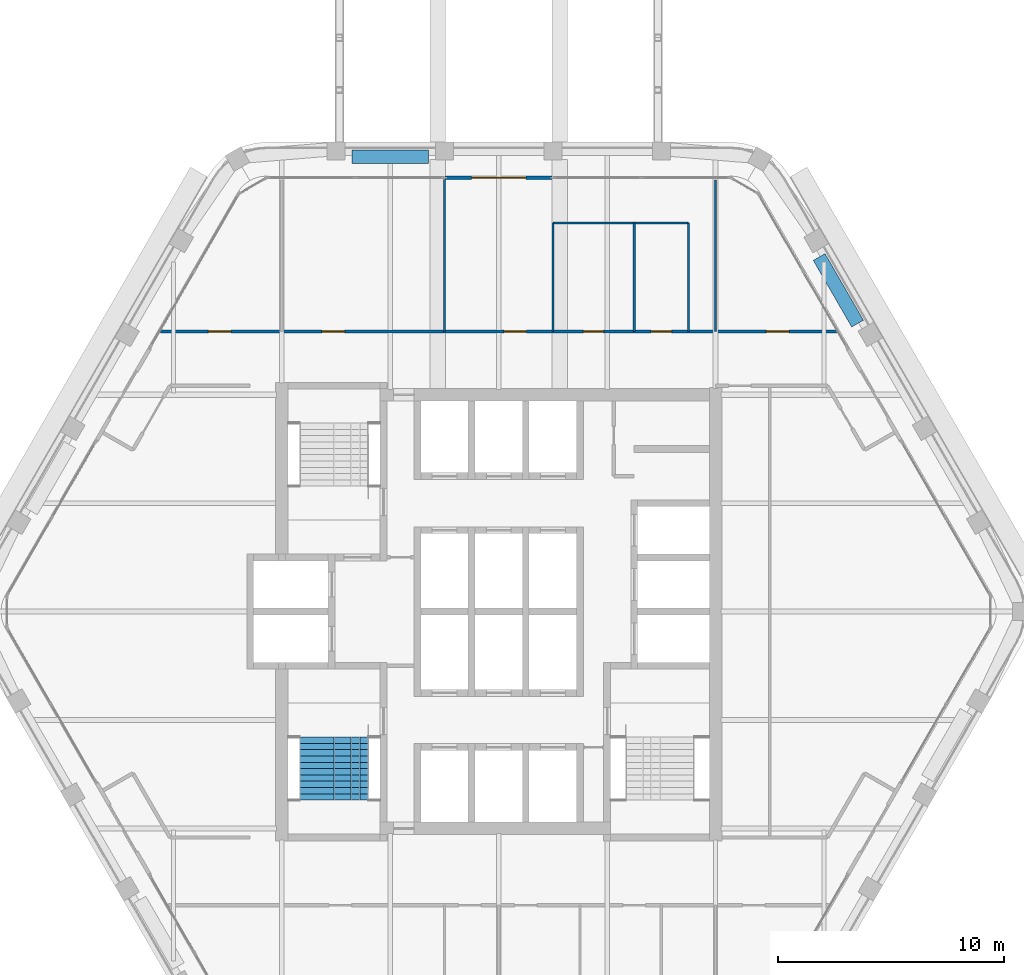
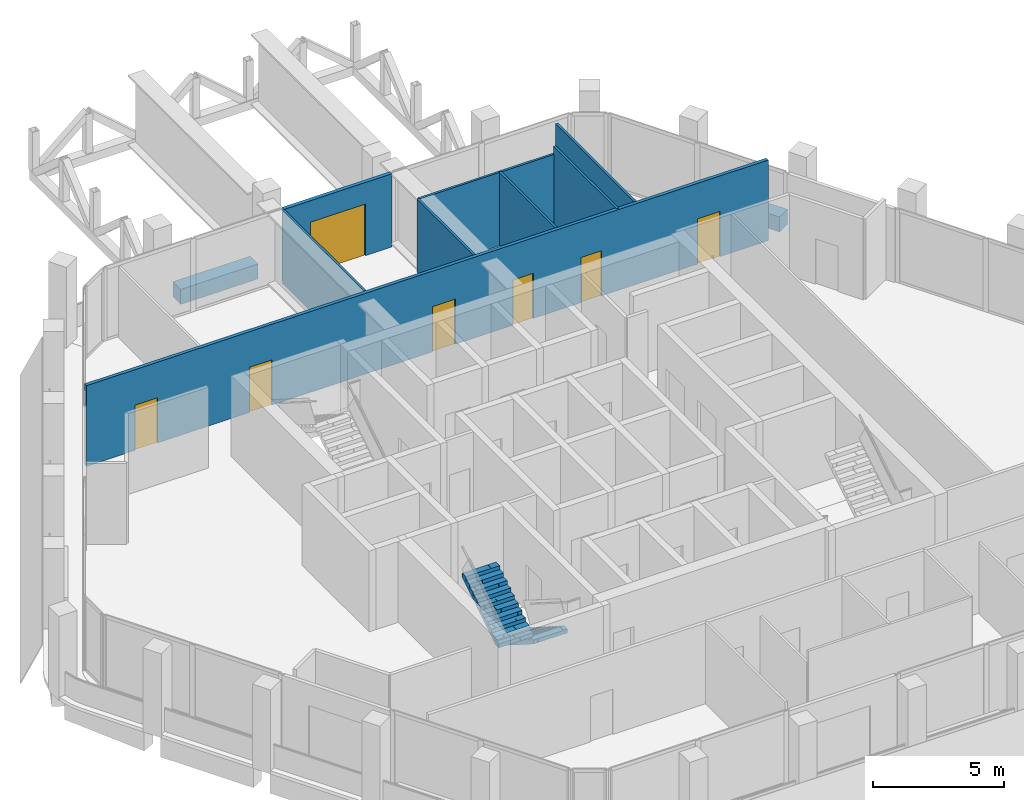
# One storey, part 11 of 14: 10 walls, 7 doors, 2 stair flights, 7 openings, 1 element without a shape of its own.
"""IFC4 building model written with IfcOpenShell, lengths in metres."""

from ifc_helpers import new_model, si_unit, direction, frame, frame_2d, origin, place, context, subcontext, project, spatial, polyline, rectangle, outline, extrude, material, layer, layer_set, type_object, element, fill, aggregate, save


model = new_model("IFC4")

# Units and contexts
model_context = context("Model", 3, precision=1e-05, world=origin(), true_north=direction((0.0, 1.0)))
body_context = subcontext(model_context, "Body", "Model", "MODEL_VIEW")
ifc_project = project(units=[si_unit("LENGTHUNIT", "METRE"), si_unit("AREAUNIT", "SQUARE_METRE"), si_unit("VOLUMEUNIT", "CUBIC_METRE"), si_unit("PLANEANGLEUNIT", "RADIAN"), si_unit("MASSUNIT", "GRAM", prefix="KILO")], contexts=[model_context])

# Site, building, storey
site_placement = place(None, origin())
site = spatial("IfcSite", under=ifc_project, at=site_placement, CompositionType="ELEMENT")
building_placement = place(site_placement, origin())
building = spatial("IfcBuilding", under=site, at=building_placement, Name="Kolab Exchange Tower", CompositionType="ELEMENT")
storey_placement = place(building_placement, frame((0.0, 0.0, 265.699951171875)))
storey = spatial("IfcBuildingStorey", under=building, at=storey_placement, Name="L59", CompositionType="ELEMENT", Elevation=265.699951171875)

# Wall, opening, door
ifc_material_1 = material(Name="Aluminium EN AW-6063 T6", Category="aluminium")
ifc_layer_1 = layer(ifc_material_1, 0.159912109375)
ifc_layer_set_1 = layer_set([ifc_layer_1], Name="Aluminium EN AW-6063 T6")
wall_type_1 = type_object("IfcWallType", Name="DOOR SURROUND WALL 160 ALUMINIUM FRAMED", PredefinedType="PARTITIONING", material=ifc_layer_set_1)
wall_1_placement = place(storey_placement, frame((-2.3701171875, 19.20458984375, 0.0), z_axis=(0.0, 0.0, 1.0), x_axis=(1.0, 0.0, 0.0)))
wall_1 = element("IfcWall", 1, at=wall_1_placement, inside=storey, type_object=wall_type_1, Name="Door surround wall", PredefinedType="PARTITIONING", context=body_context, shape_type="SweptSolid", body=[
    extrude(rectangle(XDim=4.740234375, YDim=0.159912109375, at=frame_2d((2.3701171875, 0.0))), origin(), (0.0, 0.0, 1.0), 3.400146484375),
])
opening_1_placement = place(wall_1_placement, frame((1.169921875, 0.0, 0.0)))
opening_1 = element("IfcOpeningElement", 2, at=opening_1_placement, cuts=wall_1, Name="Opening GD1-108", PredefinedType="OPENING", context=body_context, shape_type="SweptSolid", body=[
    extrude(rectangle(XDim=2.39990234375, YDim=2.39990234375, at=frame_2d((1.199951171875, 1.199951171875))), frame((0.0, 0.08984375, 0.0), z_axis=(0.0, -1.0, 0.0), x_axis=(1.0, 0.0, 0.0)), (0.0, 0.0, 1.0), 0.179931640625),
])
door_type_1 = type_object("IfcDoorType", Name="LOGGIA SLIDING GLASS DOOR 2400 X 2400", OperationType="DOUBLE_DOOR_SINGLE_SWING", PredefinedType="DOOR", material=ifc_material_1)
door_1_placement = place(opening_1_placement, origin())
door_1 = element("IfcDoor", 3, at=door_1_placement, inside=storey, type_object=door_type_1, Name="Loggia door", OperationType="DOUBLE_DOOR_SLIDING", OverallHeight=2.39990234375, OverallWidth=2.39990234375, PredefinedType="DOOR", context=body_context, shape_type="SweptSolid", body=[
    extrude(rectangle(XDim=2.39990234375, YDim=2.39990234375, at=frame_2d((1.199951171875, 1.199951171875))), frame((0.0, 0.02490234375, 0.0), z_axis=(0.0, -1.0, 0.0), x_axis=(1.0, 0.0, 0.0)), (0.0, 0.0, 1.0), 0.050048828125),
])
fill(opening_1, door_1)

# Walls
ifc_material_2 = material(Name="Gypsum board", Category="gypsum")
ifc_layer_2 = layer(ifc_material_2, 0.10009765625)
ifc_layer_set_2 = layer_set([ifc_layer_2], Name="Gypsum board")
wall_type_2 = type_object("IfcWallType", Name="PARTITION 100", PredefinedType="PARTITIONING", material=ifc_layer_set_2)
wall_2_placement = place(storey_placement, frame((9.60009765625, 12.39990234375, 0.0), z_axis=(0.0, 0.0, 1.0), x_axis=(0.0, 1.0, 0.0)))
element("IfcWall", 4, at=wall_2_placement, inside=storey, type_object=wall_type_2, Name="Partition 002", PredefinedType="PARTITIONING", context=body_context, shape_type="SweptSolid", body=[
    extrude(rectangle(XDim=6.714599609375, YDim=0.10009765625, at=frame_2d((3.357421875, 0.0))), origin(), (0.0, 0.0, 1.0), 3.217041015625),
])
wall_3_placement = place(storey_placement, frame((8.39990234375, 12.39990234375, 0.0), z_axis=(0.0, 0.0, 1.0), x_axis=(0.0, 1.0, 0.0)))
element("IfcWall", 5, at=wall_3_placement, inside=storey, type_object=wall_type_2, Name="Partition 003", PredefinedType="PARTITIONING", context=body_context, shape_type="SweptSolid", body=[
    extrude(rectangle(XDim=4.800048828125, YDim=0.10009765625, at=frame_2d((2.39990234375, 0.0))), origin(), (0.0, 0.0, 1.0), 3.75),
])
for number, where, z_axis, x_axis, name in (
    (6, (6.0, 12.39990234375, 0.0), (0.0, 0.0, 1.0), (0.0, 1.0, 0.0), "Partition 005"),
    (7, (2.39990234375, 12.39990234375, 0.0), (0.0, 0.0, 1.0), (0.0, 1.0, 0.0), "Partition 008"),
):
    element("IfcWall", number, at=place(storey_placement, frame(where, z_axis=z_axis, x_axis=x_axis)), inside=storey, type_object=wall_type_2, Name=name, PredefinedType="PARTITIONING", context=body_context, shape_type="SweptSolid", body=[
        extrude(rectangle(XDim=4.800048828125, YDim=0.10009765625, at=frame_2d((2.39990234375, 0.0))), origin(), (0.0, 0.0, 1.0), 3.400146484375),
    ])
wall_4_placement = place(storey_placement, frame((-2.39990234375, 12.39990234375, 0.0), z_axis=(0.0, 0.0, 1.0), x_axis=(0.0, 1.0, 0.0)))
element("IfcWall", 8, at=wall_4_placement, inside=storey, type_object=wall_type_2, Name="Partition 011", PredefinedType="PARTITIONING", context=body_context, shape_type="SweptSolid", body=[
    extrude(rectangle(XDim=6.724609375, YDim=0.10009765625, at=frame_2d((3.3623046875, 0.0))), origin(), (0.0, 0.0, 1.0), 3.400146484375),
])
wall_5_placement = place(storey_placement, frame((2.39990234375, 17.199951171875, 0.0), z_axis=(0.0, 0.0, 1.0), x_axis=(1.0, 0.0, 0.0)))
element("IfcWall", 9, at=wall_5_placement, inside=storey, type_object=wall_type_2, Name="Partition 030", PredefinedType="PARTITIONING", context=body_context, shape_type="SweptSolid", body=[
    extrude(rectangle(XDim=6.0, YDim=0.10009765625, at=frame_2d((3.0, 0.0))), origin(), (0.0, 0.0, 1.0), 3.400146484375),
])

# Wall, openings, doors
ifc_layer_3 = layer(ifc_material_2, 0.14990234375)
ifc_layer_set_3 = layer_set([ifc_layer_3], Name="Gypsum board")
wall_type_3 = type_object("IfcWallType", Name="PARTITION 150 FIRE-RATED", PredefinedType="PARTITIONING", material=ifc_layer_set_3)
wall_6_placement = place(storey_placement, frame((-14.97021484375, 12.39990234375, 0.0), z_axis=(0.0, 0.0, 1.0), x_axis=(1.0, 0.0, 0.0)))
wall_6 = element("IfcWall", 10, at=wall_6_placement, inside=storey, type_object=wall_type_3, Name="Partition 029", PredefinedType="PARTITIONING", context=body_context, shape_type="SweptSolid", body=[
    extrude(rectangle(XDim=29.9404296875, YDim=0.14990234375, at=frame_2d((14.97021484375, 0.0))), origin(), (0.0, 0.0, 1.0), 3.75),
])
opening_2_placement = place(wall_6_placement, frame((18.72021484375, 0.0, 0.0)))
opening_2 = element("IfcOpeningElement", 11, at=opening_2_placement, cuts=wall_6, Name="Opening D3-084", PredefinedType="OPENING", context=body_context, shape_type="SweptSolid", body=[
    extrude(rectangle(XDim=0.89990234375, YDim=2.10009765625, at=frame_2d((0.449951171875, 1.050048828125))), frame((0.0, 0.0849609375, 0.0), z_axis=(0.0, -1.0, 0.0), x_axis=(1.0, 0.0, 0.0)), (0.0, 0.0, 1.0), 0.169921875),
])
opening_3_placement = place(wall_6_placement, frame((21.72021484375, 0.0, 0.0)))
opening_3 = element("IfcOpeningElement", 12, at=opening_3_placement, cuts=wall_6, Name="Opening D3-085", PredefinedType="OPENING", context=body_context, shape_type="SweptSolid", body=[
    extrude(rectangle(XDim=0.89990234375, YDim=2.10009765625, at=frame_2d((0.449951171875, 1.050048828125))), frame((0.0, 0.0849609375, 0.0), z_axis=(0.0, -1.0, 0.0), x_axis=(1.0, 0.0, 0.0)), (0.0, 0.0, 1.0), 0.169921875),
])
opening_4_placement = place(wall_6_placement, frame((2.11572265625, 0.0, 0.0)))
opening_4 = element("IfcOpeningElement", 13, at=opening_4_placement, cuts=wall_6, Name="Opening D1-714", PredefinedType="OPENING", context=body_context, shape_type="SweptSolid", body=[
    extrude(rectangle(XDim=1.0, YDim=2.10009765625, at=frame_2d((0.5, 1.050048828125))), frame((0.0, 0.0849609375, 0.0), z_axis=(0.0, -1.0, 0.0), x_axis=(1.0, 0.0, 0.0)), (0.0, 0.0, 1.0), 0.169921875),
])
opening_5_placement = place(wall_6_placement, frame((7.145263671875, 0.0, 0.0)))
opening_5 = element("IfcOpeningElement", 14, at=opening_5_placement, cuts=wall_6, Name="Opening D1-715", PredefinedType="OPENING", context=body_context, shape_type="SweptSolid", body=[
    extrude(rectangle(XDim=1.0, YDim=2.10009765625, at=frame_2d((0.5, 1.050048828125))), frame((0.0, 0.0849609375, 0.0), z_axis=(0.0, -1.0, 0.0), x_axis=(1.0, 0.0, 0.0)), (0.0, 0.0, 1.0), 0.169921875),
])
opening_6_placement = place(wall_6_placement, frame((15.1953125, 0.0, 0.0)))
opening_6 = element("IfcOpeningElement", 15, at=opening_6_placement, cuts=wall_6, Name="Opening D1-656", PredefinedType="OPENING", context=body_context, shape_type="SweptSolid", body=[
    extrude(rectangle(XDim=1.0, YDim=2.10009765625, at=frame_2d((0.5, 1.050048828125))), frame((0.0, 0.0849609375, 0.0), z_axis=(0.0, -1.0, 0.0), x_axis=(1.0, 0.0, 0.0)), (0.0, 0.0, 1.0), 0.169921875),
])
opening_7_placement = place(wall_6_placement, frame((26.82470703125, 0.0, 0.0)))
opening_7 = element("IfcOpeningElement", 16, at=opening_7_placement, cuts=wall_6, Name="Opening D1-716", PredefinedType="OPENING", context=body_context, shape_type="SweptSolid", body=[
    extrude(rectangle(XDim=1.0, YDim=2.10009765625, at=frame_2d((0.5, 1.050048828125))), frame((0.0, 0.0849609375, 0.0), z_axis=(0.0, -1.0, 0.0), x_axis=(1.0, 0.0, 0.0)), (0.0, 0.0, 1.0), 0.169921875),
])
ifc_material_3 = material(Name="Steel S235", Category="steel")
door_type_2 = type_object("IfcDoorType", Name="FLUSH DOOR 1000 FD60", OperationType="SINGLE_SWING_LEFT", PredefinedType="DOOR", material=ifc_material_3)
door_2_placement = place(opening_4_placement, origin())
door_2 = element("IfcDoor", 17, at=door_2_placement, inside=storey, type_object=door_type_2, Name="Door L59-031", OperationType="SINGLE_SWING_LEFT", OverallHeight=2.10009765625, OverallWidth=1.0, PredefinedType="DOOR", context=body_context, shape_type="SweptSolid", body=[
    extrude(rectangle(XDim=1.0, YDim=2.10009765625, at=frame_2d((0.5, 1.050048828125))), frame((0.0, 0.02490234375, 0.0), z_axis=(0.0, -1.0, 0.0), x_axis=(1.0, 0.0, 0.0)), (0.0, 0.0, 1.0), 0.050048828125),
])
fill(opening_4, door_2)
door_3_placement = place(opening_5_placement, origin())
door_3 = element("IfcDoor", 18, at=door_3_placement, inside=storey, type_object=door_type_2, Name="Door L59-032", OperationType="SINGLE_SWING_LEFT", OverallHeight=2.10009765625, OverallWidth=1.0, PredefinedType="DOOR", context=body_context, shape_type="SweptSolid", body=[
    extrude(rectangle(XDim=1.0, YDim=2.10009765625, at=frame_2d((0.5, 1.050048828125))), frame((0.0, 0.02490234375, 0.0), z_axis=(0.0, -1.0, 0.0), x_axis=(1.0, 0.0, 0.0)), (0.0, 0.0, 1.0), 0.050048828125),
])
fill(opening_5, door_3)
door_4_placement = place(opening_6_placement, origin())
door_4 = element("IfcDoor", 19, at=door_4_placement, inside=storey, type_object=door_type_2, Name="Door L59-033", OperationType="SINGLE_SWING_RIGHT", OverallHeight=2.10009765625, OverallWidth=1.0, PredefinedType="DOOR", context=body_context, shape_type="SweptSolid", body=[
    extrude(rectangle(XDim=1.0, YDim=2.10009765625, at=frame_2d((0.5, 1.050048828125))), frame((0.0, 0.02490234375, 0.0), z_axis=(0.0, -1.0, 0.0), x_axis=(1.0, 0.0, 0.0)), (0.0, 0.0, 1.0), 0.050048828125),
])
fill(opening_6, door_4)
door_5_placement = place(opening_7_placement, origin())
door_5 = element("IfcDoor", 20, at=door_5_placement, inside=storey, type_object=door_type_2, Name="Door L59-034", OperationType="SINGLE_SWING_RIGHT", OverallHeight=2.10009765625, OverallWidth=1.0, PredefinedType="DOOR", context=body_context, shape_type="SweptSolid", body=[
    extrude(rectangle(XDim=1.0, YDim=2.10009765625, at=frame_2d((0.5, 1.050048828125))), frame((0.0, 0.02490234375, 0.0), z_axis=(0.0, -1.0, 0.0), x_axis=(1.0, 0.0, 0.0)), (0.0, 0.0, 1.0), 0.050048828125),
])
fill(opening_7, door_5)
door_type_3 = type_object("IfcDoorType", Name="FLUSH DOOR 900 FD60", OperationType="SINGLE_SWING_LEFT", PredefinedType="DOOR", material=ifc_material_3)
door_6_placement = place(opening_2_placement, origin())
door_6 = element("IfcDoor", 21, at=door_6_placement, inside=storey, type_object=door_type_3, Name="Door L59-029", OperationType="SINGLE_SWING_LEFT", OverallHeight=2.10009765625, OverallWidth=0.89990234375, PredefinedType="DOOR", context=body_context, shape_type="SweptSolid", body=[
    extrude(rectangle(XDim=0.89990234375, YDim=2.10009765625, at=frame_2d((0.449951171875, 1.050048828125))), frame((0.0, 0.02490234375, 0.0), z_axis=(0.0, -1.0, 0.0), x_axis=(1.0, 0.0, 0.0)), (0.0, 0.0, 1.0), 0.050048828125),
])
fill(opening_2, door_6)
door_7_placement = place(opening_3_placement, origin())
door_7 = element("IfcDoor", 22, at=door_7_placement, inside=storey, type_object=door_type_3, Name="Door L59-030", OperationType="SINGLE_SWING_LEFT", OverallHeight=2.10009765625, OverallWidth=0.89990234375, PredefinedType="DOOR", context=body_context, shape_type="SweptSolid", body=[
    extrude(rectangle(XDim=0.89990234375, YDim=2.10009765625, at=frame_2d((0.449951171875, 1.050048828125))), frame((0.0, 0.02490234375, 0.0), z_axis=(0.0, -1.0, 0.0), x_axis=(1.0, 0.0, 0.0)), (0.0, 0.0, 1.0), 0.050048828125),
])
fill(opening_3, door_7)

# Walls
ifc_material_4 = material(Name="Granite facing", Category="masonry")
ifc_layer_4 = layer(ifc_material_4, 0.0400390625)
ifc_material_5 = material(Name="Concrete C40/50 precast", Category="concrete")
ifc_layer_5 = layer(ifc_material_5, 0.56005859375)
ifc_layer_set_4 = layer_set([ifc_layer_4, ifc_layer_5], Name="Concrete C40/50 precast")
wall_type_4 = type_object("IfcWallType", Name="PLANTER BOX 600 X 700 SOIL DEPTH 550", PredefinedType="USERDEFINED", material=ifc_layer_set_4)
wall_7_placement = place(storey_placement, frame((-6.5, 20.134521484375, 0.0), z_axis=(0.0, 0.0, 1.0), x_axis=(1.0, 0.0, 0.0)))
element("IfcWall", 23, at=wall_7_placement, inside=storey, type_object=wall_type_4, Name="Planter", ObjectType="PLANTER", PredefinedType="USERDEFINED", context=body_context, shape_type="SweptSolid", body=[
    extrude(rectangle(XDim=3.39990234375, YDim=0.60009765625, at=frame_2d((1.699951171875, 0.0))), origin(), (0.0, 0.0, 1.0), 0.699951171875),
])
wall_8_placement = place(storey_placement, frame((14.18701171875, 15.696533203125, 0.0), z_axis=(0.0, 0.0, 1.0), x_axis=(0.499977295307, -0.866038511948, 0.0)))
element("IfcWall", 24, at=wall_8_placement, inside=storey, type_object=wall_type_4, Name="Planter", ObjectType="PLANTER", PredefinedType="USERDEFINED", context=body_context, shape_type="SweptSolid", body=[
    extrude(rectangle(XDim=3.400146484375, YDim=0.60009765625, at=frame_2d((1.7001953125, 0.0))), origin(), (0.0, 0.0, 1.0), 0.699951171875),
])

# Stair, stair flights
ifc_material_6 = material(Name="Concrete C50/60", Category="concrete")
stair_type = type_object("IfcStairType", Name="STAIR ST3 RISER 177.3", PredefinedType="HALF_TURN_STAIR", material=ifc_material_6)
stair_placement = place(storey_placement, origin())
stair = element("IfcStair", 25, at=stair_placement, inside=storey, type_object=stair_type, Name="Stair 3", PredefinedType="HALF_TURN_STAIR")
stair_flight_type = type_object("IfcStairFlightType", Name="STAIR FLIGHT 1500 RISER 177.3", PredefinedType="STRAIGHT", material=ifc_material_6)
stair_flight_1_placement = place(storey_placement, frame((-6.527587890625, -5.550048828125, 0.0), z_axis=(0.0, 0.0, 1.0), x_axis=(0.0, -1.0, 0.0)))
stair_flight_1 = element("IfcStairFlight", 26, at=stair_flight_1_placement, type_object=stair_flight_type, Name="ST3 flight 1", NumberOfRisers=11, NumberOfTreads=10, PredefinedType="STRAIGHT", RiserHeight=0.177272727, TreadLength=0.28, context=body_context, shape_type="SweptSolid", body=[
    extrude(outline(polyline([(0.0, 0.0), (0.0, 0.17724609375), (0.280029296875, 0.17724609375), (0.280029296875, 0.3544921875), (0.56005859375, 0.3544921875), (0.56005859375, 0.53173828125), (0.840087890625, 0.53173828125), (0.840087890625, 0.708984375), (1.1201171875, 0.708984375), (1.1201171875, 0.886474609375), (1.39990234375, 0.886474609375), (1.39990234375, 1.063720703125), (1.679931640625, 1.063720703125), (1.679931640625, 1.240966796875), (1.9599609375, 1.240966796875), (1.9599609375, 1.418212890625), (2.239990234375, 1.418212890625), (2.239990234375, 1.595458984375), (2.52001953125, 1.595458984375), (2.52001953125, 1.772705078125), (2.800048828125, 1.772705078125), (2.800048828125, 1.949951171875), (2.800048828125, 1.59521484375), (0.2802734375, 0.0), (0.0, 0.0)])), frame((0.0, 0.75, 0.0), z_axis=(0.0, -1.0, 0.0), x_axis=(1.0, 0.0, 0.0)), (0.0, 0.0, 1.0), 0.185791015625),
    extrude(outline(polyline([(0.0, 0.0), (0.0, 0.17724609375), (0.280029296875, 0.17724609375), (0.280029296875, 0.3544921875), (0.56005859375, 0.3544921875), (0.56005859375, 0.53173828125), (0.840087890625, 0.53173828125), (0.840087890625, 0.708984375), (1.1201171875, 0.708984375), (1.1201171875, 0.886474609375), (1.39990234375, 0.886474609375), (1.39990234375, 1.063720703125), (1.679931640625, 1.063720703125), (1.679931640625, 1.240966796875), (1.9599609375, 1.240966796875), (1.9599609375, 1.418212890625), (2.239990234375, 1.418212890625), (2.239990234375, 1.595458984375), (2.52001953125, 1.595458984375), (2.52001953125, 1.772705078125), (2.800048828125, 1.772705078125), (2.800048828125, 1.949951171875), (2.800048828125, 1.59521484375), (0.2802734375, 0.0), (0.0, 0.0)])), frame((0.0, 0.562255859375, 0.0), z_axis=(0.0, -1.0, 0.0), x_axis=(1.0, 0.0, 0.0)), (0.0, 0.0, 1.0), 0.185791015625),
    extrude(outline(polyline([(0.0, 0.0), (0.0, 0.17724609375), (0.280029296875, 0.17724609375), (0.280029296875, 0.3544921875), (0.56005859375, 0.3544921875), (0.56005859375, 0.53173828125), (0.840087890625, 0.53173828125), (0.840087890625, 0.708984375), (1.1201171875, 0.708984375), (1.1201171875, 0.886474609375), (1.39990234375, 0.886474609375), (1.39990234375, 1.063720703125), (1.679931640625, 1.063720703125), (1.679931640625, 1.240966796875), (1.9599609375, 1.240966796875), (1.9599609375, 1.418212890625), (2.239990234375, 1.418212890625), (2.239990234375, 1.595458984375), (2.52001953125, 1.595458984375), (2.52001953125, 1.772705078125), (2.800048828125, 1.772705078125), (2.800048828125, 1.949951171875), (2.800048828125, 1.59521484375), (0.2802734375, 0.0), (0.0, 0.0)])), frame((0.0, 0.37451171875, 0.0), z_axis=(0.0, -1.0, 0.0), x_axis=(1.0, 0.0, 0.0)), (0.0, 0.0, 1.0), 0.185791015625),
    extrude(outline(polyline([(0.0, 0.0), (0.0, 0.17724609375), (0.280029296875, 0.17724609375), (0.280029296875, 0.3544921875), (0.56005859375, 0.3544921875), (0.56005859375, 0.53173828125), (0.840087890625, 0.53173828125), (0.840087890625, 0.708984375), (1.1201171875, 0.708984375), (1.1201171875, 0.886474609375), (1.39990234375, 0.886474609375), (1.39990234375, 1.063720703125), (1.679931640625, 1.063720703125), (1.679931640625, 1.240966796875), (1.9599609375, 1.240966796875), (1.9599609375, 1.418212890625), (2.239990234375, 1.418212890625), (2.239990234375, 1.595458984375), (2.52001953125, 1.595458984375), (2.52001953125, 1.772705078125), (2.800048828125, 1.772705078125), (2.800048828125, 1.949951171875), (2.800048828125, 1.59521484375), (0.2802734375, 0.0), (0.0, 0.0)])), frame((0.0, 0.186767578125, 0.0), z_axis=(0.0, -1.0, 0.0), x_axis=(1.0, 0.0, 0.0)), (0.0, 0.0, 1.0), 0.185791015625),
    extrude(outline(polyline([(0.0, 0.0), (0.0, 0.17724609375), (0.280029296875, 0.17724609375), (0.280029296875, 0.3544921875), (0.56005859375, 0.3544921875), (0.56005859375, 0.53173828125), (0.840087890625, 0.53173828125), (0.840087890625, 0.708984375), (1.1201171875, 0.708984375), (1.1201171875, 0.886474609375), (1.39990234375, 0.886474609375), (1.39990234375, 1.063720703125), (1.679931640625, 1.063720703125), (1.679931640625, 1.240966796875), (1.9599609375, 1.240966796875), (1.9599609375, 1.418212890625), (2.239990234375, 1.418212890625), (2.239990234375, 1.595458984375), (2.52001953125, 1.595458984375), (2.52001953125, 1.772705078125), (2.800048828125, 1.772705078125), (2.800048828125, 1.949951171875), (2.800048828125, 1.59521484375), (0.2802734375, 0.0), (0.0, 0.0)])), frame((0.0, -0.0009765625, 0.0), z_axis=(0.0, -1.0, 0.0), x_axis=(1.0, 0.0, 0.0)), (0.0, 0.0, 1.0), 0.185791015625),
    extrude(outline(polyline([(0.0, 0.0), (0.0, 0.17724609375), (0.280029296875, 0.17724609375), (0.280029296875, 0.3544921875), (0.56005859375, 0.3544921875), (0.56005859375, 0.53173828125), (0.840087890625, 0.53173828125), (0.840087890625, 0.708984375), (1.1201171875, 0.708984375), (1.1201171875, 0.886474609375), (1.39990234375, 0.886474609375), (1.39990234375, 1.063720703125), (1.679931640625, 1.063720703125), (1.679931640625, 1.240966796875), (1.9599609375, 1.240966796875), (1.9599609375, 1.418212890625), (2.239990234375, 1.418212890625), (2.239990234375, 1.595458984375), (2.52001953125, 1.595458984375), (2.52001953125, 1.772705078125), (2.800048828125, 1.772705078125), (2.800048828125, 1.949951171875), (2.800048828125, 1.59521484375), (0.2802734375, 0.0), (0.0, 0.0)])), frame((0.0, -0.188720703125, 0.0), z_axis=(0.0, -1.0, 0.0), x_axis=(1.0, 0.0, 0.0)), (0.0, 0.0, 1.0), 0.185791015625),
    extrude(outline(polyline([(0.0, 0.0), (0.0, 0.17724609375), (0.280029296875, 0.17724609375), (0.280029296875, 0.3544921875), (0.56005859375, 0.3544921875), (0.56005859375, 0.53173828125), (0.840087890625, 0.53173828125), (0.840087890625, 0.708984375), (1.1201171875, 0.708984375), (1.1201171875, 0.886474609375), (1.39990234375, 0.886474609375), (1.39990234375, 1.063720703125), (1.679931640625, 1.063720703125), (1.679931640625, 1.240966796875), (1.9599609375, 1.240966796875), (1.9599609375, 1.418212890625), (2.239990234375, 1.418212890625), (2.239990234375, 1.595458984375), (2.52001953125, 1.595458984375), (2.52001953125, 1.772705078125), (2.800048828125, 1.772705078125), (2.800048828125, 1.949951171875), (2.800048828125, 1.59521484375), (0.2802734375, 0.0), (0.0, 0.0)])), frame((0.0, -0.37646484375, 0.0), z_axis=(0.0, -1.0, 0.0), x_axis=(1.0, 0.0, 0.0)), (0.0, 0.0, 1.0), 0.185791015625),
    extrude(outline(polyline([(0.0, 0.0), (0.0, 0.17724609375), (0.280029296875, 0.17724609375), (0.280029296875, 0.3544921875), (0.56005859375, 0.3544921875), (0.56005859375, 0.53173828125), (0.840087890625, 0.53173828125), (0.840087890625, 0.708984375), (1.1201171875, 0.708984375), (1.1201171875, 0.886474609375), (1.39990234375, 0.886474609375), (1.39990234375, 1.063720703125), (1.679931640625, 1.063720703125), (1.679931640625, 1.240966796875), (1.9599609375, 1.240966796875), (1.9599609375, 1.418212890625), (2.239990234375, 1.418212890625), (2.239990234375, 1.595458984375), (2.52001953125, 1.595458984375), (2.52001953125, 1.772705078125), (2.800048828125, 1.772705078125), (2.800048828125, 1.949951171875), (2.800048828125, 1.59521484375), (0.2802734375, 0.0), (0.0, 0.0)])), frame((0.0, -0.564208984375, 0.0), z_axis=(0.0, -1.0, 0.0), x_axis=(1.0, 0.0, 0.0)), (0.0, 0.0, 1.0), 0.185791015625),
])
stair_flight_2_placement = place(storey_placement, frame((-8.047607421875, -8.35009765625, 1.949951171875), z_axis=(0.0, 0.0, 1.0), x_axis=(0.0, 1.0, 0.0)))
stair_flight_2 = element("IfcStairFlight", 27, at=stair_flight_2_placement, type_object=stair_flight_type, Name="ST3 flight 2", NumberOfRisers=11, NumberOfTreads=10, PredefinedType="STRAIGHT", RiserHeight=0.177272727, TreadLength=0.28, context=body_context, shape_type="SweptSolid", body=[
    extrude(outline(polyline([(0.0, 0.0), (0.0, 0.17724609375), (0.280029296875, 0.17724609375), (0.280029296875, 0.3544921875), (0.56005859375, 0.3544921875), (0.56005859375, 0.53173828125), (0.840087890625, 0.53173828125), (0.840087890625, 0.708984375), (1.1201171875, 0.708984375), (1.1201171875, 0.886474609375), (1.39990234375, 0.886474609375), (1.39990234375, 1.063720703125), (1.679931640625, 1.063720703125), (1.679931640625, 1.240966796875), (1.9599609375, 1.240966796875), (1.9599609375, 1.418212890625), (2.239990234375, 1.418212890625), (2.239990234375, 1.595458984375), (2.52001953125, 1.595458984375), (2.52001953125, 1.772705078125), (2.800048828125, 1.772705078125), (2.800048828125, 1.949951171875), (2.800048828125, 1.59521484375), (0.2802734375, 0.0), (0.0, 0.0)])), frame((0.0, 0.75, 0.0), z_axis=(0.0, -1.0, 0.0), x_axis=(1.0, 0.0, 0.0)), (0.0, 0.0, 1.0), 0.185791015625),
    extrude(outline(polyline([(0.0, 0.0), (0.0, 0.17724609375), (0.280029296875, 0.17724609375), (0.280029296875, 0.3544921875), (0.56005859375, 0.3544921875), (0.56005859375, 0.53173828125), (0.840087890625, 0.53173828125), (0.840087890625, 0.708984375), (1.1201171875, 0.708984375), (1.1201171875, 0.886474609375), (1.39990234375, 0.886474609375), (1.39990234375, 1.063720703125), (1.679931640625, 1.063720703125), (1.679931640625, 1.240966796875), (1.9599609375, 1.240966796875), (1.9599609375, 1.418212890625), (2.239990234375, 1.418212890625), (2.239990234375, 1.595458984375), (2.52001953125, 1.595458984375), (2.52001953125, 1.772705078125), (2.800048828125, 1.772705078125), (2.800048828125, 1.949951171875), (2.800048828125, 1.59521484375), (0.2802734375, 0.0), (0.0, 0.0)])), frame((0.0, 0.562255859375, 0.0), z_axis=(0.0, -1.0, 0.0), x_axis=(1.0, 0.0, 0.0)), (0.0, 0.0, 1.0), 0.185791015625),
    extrude(outline(polyline([(0.0, 0.0), (0.0, 0.17724609375), (0.280029296875, 0.17724609375), (0.280029296875, 0.3544921875), (0.56005859375, 0.3544921875), (0.56005859375, 0.53173828125), (0.840087890625, 0.53173828125), (0.840087890625, 0.708984375), (1.1201171875, 0.708984375), (1.1201171875, 0.886474609375), (1.39990234375, 0.886474609375), (1.39990234375, 1.063720703125), (1.679931640625, 1.063720703125), (1.679931640625, 1.240966796875), (1.9599609375, 1.240966796875), (1.9599609375, 1.418212890625), (2.239990234375, 1.418212890625), (2.239990234375, 1.595458984375), (2.52001953125, 1.595458984375), (2.52001953125, 1.772705078125), (2.800048828125, 1.772705078125), (2.800048828125, 1.949951171875), (2.800048828125, 1.59521484375), (0.2802734375, 0.0), (0.0, 0.0)])), frame((0.0, 0.37451171875, 0.0), z_axis=(0.0, -1.0, 0.0), x_axis=(1.0, 0.0, 0.0)), (0.0, 0.0, 1.0), 0.185791015625),
    extrude(outline(polyline([(0.0, 0.0), (0.0, 0.17724609375), (0.280029296875, 0.17724609375), (0.280029296875, 0.3544921875), (0.56005859375, 0.3544921875), (0.56005859375, 0.53173828125), (0.840087890625, 0.53173828125), (0.840087890625, 0.708984375), (1.1201171875, 0.708984375), (1.1201171875, 0.886474609375), (1.39990234375, 0.886474609375), (1.39990234375, 1.063720703125), (1.679931640625, 1.063720703125), (1.679931640625, 1.240966796875), (1.9599609375, 1.240966796875), (1.9599609375, 1.418212890625), (2.239990234375, 1.418212890625), (2.239990234375, 1.595458984375), (2.52001953125, 1.595458984375), (2.52001953125, 1.772705078125), (2.800048828125, 1.772705078125), (2.800048828125, 1.949951171875), (2.800048828125, 1.59521484375), (0.2802734375, 0.0), (0.0, 0.0)])), frame((0.0, 0.186767578125, 0.0), z_axis=(0.0, -1.0, 0.0), x_axis=(1.0, 0.0, 0.0)), (0.0, 0.0, 1.0), 0.185791015625),
    extrude(outline(polyline([(0.0, 0.0), (0.0, 0.17724609375), (0.280029296875, 0.17724609375), (0.280029296875, 0.3544921875), (0.56005859375, 0.3544921875), (0.56005859375, 0.53173828125), (0.840087890625, 0.53173828125), (0.840087890625, 0.708984375), (1.1201171875, 0.708984375), (1.1201171875, 0.886474609375), (1.39990234375, 0.886474609375), (1.39990234375, 1.063720703125), (1.679931640625, 1.063720703125), (1.679931640625, 1.240966796875), (1.9599609375, 1.240966796875), (1.9599609375, 1.418212890625), (2.239990234375, 1.418212890625), (2.239990234375, 1.595458984375), (2.52001953125, 1.595458984375), (2.52001953125, 1.772705078125), (2.800048828125, 1.772705078125), (2.800048828125, 1.949951171875), (2.800048828125, 1.59521484375), (0.2802734375, 0.0), (0.0, 0.0)])), frame((0.0, -0.0009765625, 0.0), z_axis=(0.0, -1.0, 0.0), x_axis=(1.0, 0.0, 0.0)), (0.0, 0.0, 1.0), 0.185791015625),
    extrude(outline(polyline([(0.0, 0.0), (0.0, 0.17724609375), (0.280029296875, 0.17724609375), (0.280029296875, 0.3544921875), (0.56005859375, 0.3544921875), (0.56005859375, 0.53173828125), (0.840087890625, 0.53173828125), (0.840087890625, 0.708984375), (1.1201171875, 0.708984375), (1.1201171875, 0.886474609375), (1.39990234375, 0.886474609375), (1.39990234375, 1.063720703125), (1.679931640625, 1.063720703125), (1.679931640625, 1.240966796875), (1.9599609375, 1.240966796875), (1.9599609375, 1.418212890625), (2.239990234375, 1.418212890625), (2.239990234375, 1.595458984375), (2.52001953125, 1.595458984375), (2.52001953125, 1.772705078125), (2.800048828125, 1.772705078125), (2.800048828125, 1.949951171875), (2.800048828125, 1.59521484375), (0.2802734375, 0.0), (0.0, 0.0)])), frame((0.0, -0.188720703125, 0.0), z_axis=(0.0, -1.0, 0.0), x_axis=(1.0, 0.0, 0.0)), (0.0, 0.0, 1.0), 0.185791015625),
    extrude(outline(polyline([(0.0, 0.0), (0.0, 0.17724609375), (0.280029296875, 0.17724609375), (0.280029296875, 0.3544921875), (0.56005859375, 0.3544921875), (0.56005859375, 0.53173828125), (0.840087890625, 0.53173828125), (0.840087890625, 0.708984375), (1.1201171875, 0.708984375), (1.1201171875, 0.886474609375), (1.39990234375, 0.886474609375), (1.39990234375, 1.063720703125), (1.679931640625, 1.063720703125), (1.679931640625, 1.240966796875), (1.9599609375, 1.240966796875), (1.9599609375, 1.418212890625), (2.239990234375, 1.418212890625), (2.239990234375, 1.595458984375), (2.52001953125, 1.595458984375), (2.52001953125, 1.772705078125), (2.800048828125, 1.772705078125), (2.800048828125, 1.949951171875), (2.800048828125, 1.59521484375), (0.2802734375, 0.0), (0.0, 0.0)])), frame((0.0, -0.37646484375, 0.0), z_axis=(0.0, -1.0, 0.0), x_axis=(1.0, 0.0, 0.0)), (0.0, 0.0, 1.0), 0.185791015625),
    extrude(outline(polyline([(0.0, 0.0), (0.0, 0.17724609375), (0.280029296875, 0.17724609375), (0.280029296875, 0.3544921875), (0.56005859375, 0.3544921875), (0.56005859375, 0.53173828125), (0.840087890625, 0.53173828125), (0.840087890625, 0.708984375), (1.1201171875, 0.708984375), (1.1201171875, 0.886474609375), (1.39990234375, 0.886474609375), (1.39990234375, 1.063720703125), (1.679931640625, 1.063720703125), (1.679931640625, 1.240966796875), (1.9599609375, 1.240966796875), (1.9599609375, 1.418212890625), (2.239990234375, 1.418212890625), (2.239990234375, 1.595458984375), (2.52001953125, 1.595458984375), (2.52001953125, 1.772705078125), (2.800048828125, 1.772705078125), (2.800048828125, 1.949951171875), (2.800048828125, 1.59521484375), (0.2802734375, 0.0), (0.0, 0.0)])), frame((0.0, -0.564208984375, 0.0), z_axis=(0.0, -1.0, 0.0), x_axis=(1.0, 0.0, 0.0)), (0.0, 0.0, 1.0), 0.185791015625),
])
aggregate(stair, [stair_flight_1, stair_flight_2])

save(model, "model.ifc")
